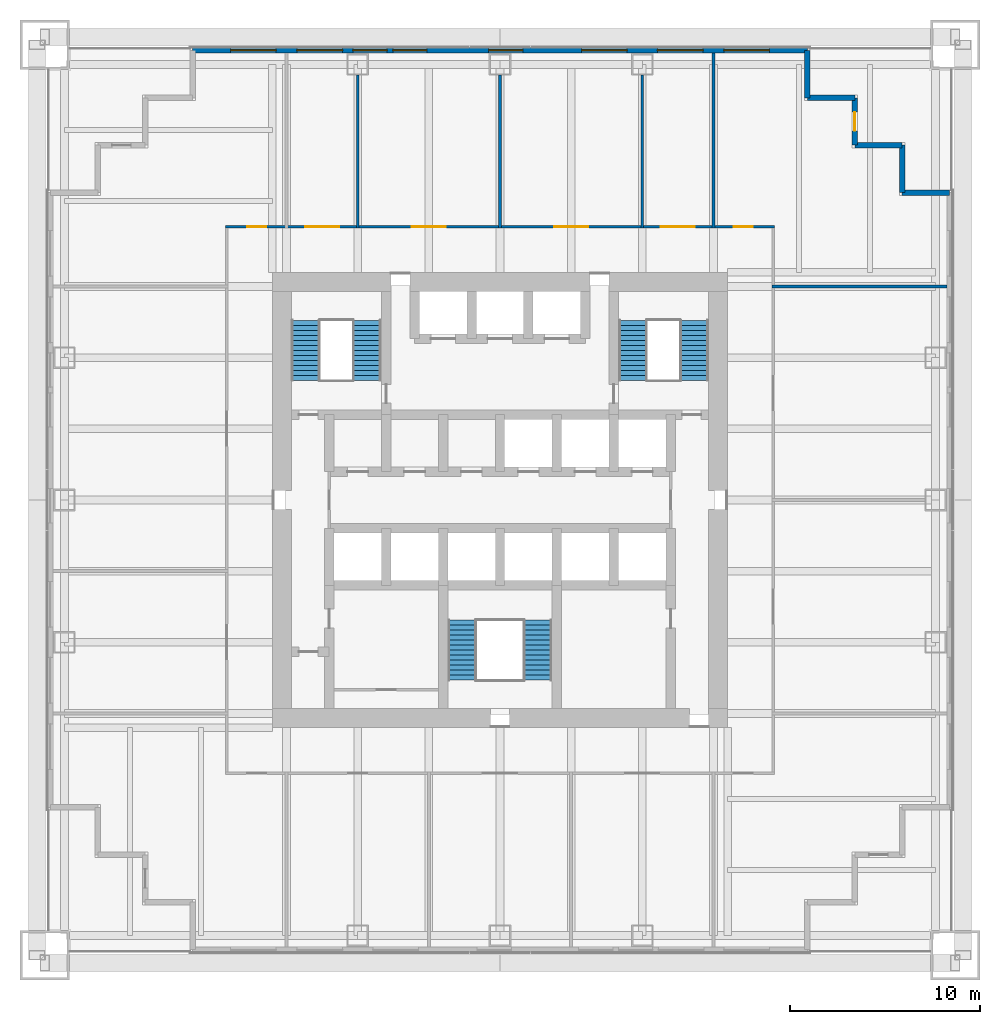
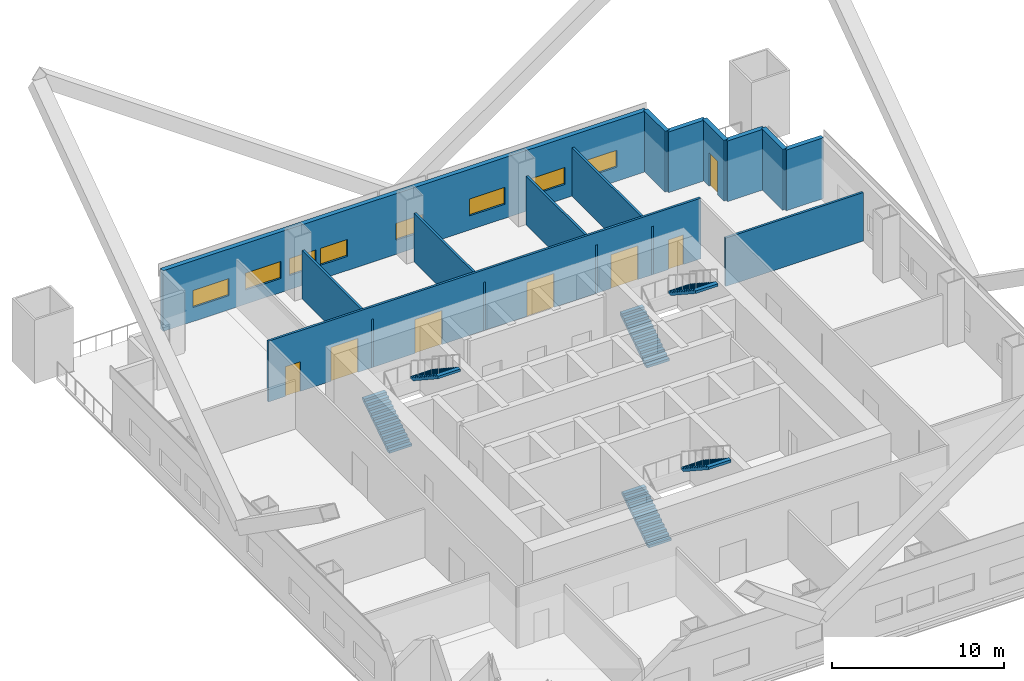
# One storey, part 5 of 7: 13 walls, 8 windows, 7 doors, 6 stair flights, 15 openings, 3 elements without a shape of their own.
"""IFC4 building model written with IfcOpenShell, lengths in metres."""

from ifc_helpers import new_model, si_unit, direction, frame, frame_2d, origin, place, context, subcontext, project, spatial, polyline, rectangle, outline, extrude, material, layer, layer_set, type_object, element, fill, aggregate, save


model = new_model("IFC4")

# Units and contexts
model_context = context("Model", 3, precision=1e-05, world=origin(), true_north=direction((0.0, 1.0)))
body_context = subcontext(model_context, "Body", "Model", "MODEL_VIEW")
ifc_project = project(units=[si_unit("LENGTHUNIT", "METRE"), si_unit("AREAUNIT", "SQUARE_METRE"), si_unit("VOLUMEUNIT", "CUBIC_METRE"), si_unit("PLANEANGLEUNIT", "RADIAN"), si_unit("MASSUNIT", "GRAM", prefix="KILO")], contexts=[model_context])

# Site, building, storey
site_placement = place(None, origin())
site = spatial("IfcSite", under=ifc_project, at=site_placement, CompositionType="ELEMENT")
building_placement = place(site_placement, origin())
building = spatial("IfcBuilding", under=site, at=building_placement, Name="Tarangal Relay Tower", CompositionType="ELEMENT")
storey_placement = place(building_placement, frame((0.0, 0.0, 117.89990234375)))
storey = spatial("IfcBuildingStorey", under=building, at=storey_placement, Name="L23", CompositionType="ELEMENT", Elevation=117.89990234375)

# Wall, openings, windows
ifc_material_1 = material(Name="Insulated precast concrete fc' 40 MPa", Category="concrete")
ifc_layer_1 = layer(ifc_material_1, 0.300048828125)
ifc_layer_set_1 = layer_set([ifc_layer_1], Name="Insulated precast concrete fc' 40 MPa")
wall_type_1 = type_object("IfcWallType", Name="Facade wall precast 300", PredefinedType="SOLIDWALL", material=ifc_layer_set_1)
wall_1_placement = place(storey_placement, frame((-16.199951171875, 23.699951171875, 0.0), z_axis=(0.0, 0.0, 1.0), x_axis=(1.0, 0.0, 0.0)))
wall_1 = element("IfcWall", 1, at=wall_1_placement, inside=storey, type_object=wall_type_1, Name="Facade wall N facade L23", PredefinedType="SOLIDWALL", context=body_context, shape_type="SweptSolid", body=[
    extrude(rectangle(XDim=32.39990234375, YDim=0.300048828125, at=frame_2d((16.199951171875, 0.0))), origin(), (0.0, 0.0, 1.0), 4.300048828125),
])
opening_1_placement = place(wall_1_placement, frame((2.0, 0.0, 1.0)))
opening_1 = element("IfcOpeningElement", 2, at=opening_1_placement, cuts=wall_1, Name="Opening WN1", PredefinedType="OPENING", context=body_context, shape_type="SweptSolid", body=[
    extrude(rectangle(XDim=2.39990234375, YDim=1.199951171875, at=frame_2d((1.199951171875, 0.60009765625))), frame((0.0, 0.159912109375, 0.0), z_axis=(0.0, -1.0, 0.0), x_axis=(1.0, 0.0, 0.0)), (0.0, 0.0, 1.0), 0.320068359375),
])
opening_2_placement = place(wall_1_placement, frame((5.5, 0.0, 1.0)))
opening_2 = element("IfcOpeningElement", 3, at=opening_2_placement, cuts=wall_1, Name="Opening WN1", PredefinedType="OPENING", context=body_context, shape_type="SweptSolid", body=[
    extrude(rectangle(XDim=2.39990234375, YDim=1.199951171875, at=frame_2d((1.199951171875, 0.60009765625))), frame((0.0, 0.159912109375, 0.0), z_axis=(0.0, -1.0, 0.0), x_axis=(1.0, 0.0, 0.0)), (0.0, 0.0, 1.0), 0.320068359375),
])
opening_3_placement = place(wall_1_placement, frame((8.449951171875, 0.0, 1.0)))
opening_3 = element("IfcOpeningElement", 4, at=opening_3_placement, cuts=wall_1, Name="Opening WN5", PredefinedType="OPENING", context=body_context, shape_type="SweptSolid", body=[
    extrude(rectangle(XDim=1.800048828125, YDim=1.199951171875, at=frame_2d((0.89990234375, 0.60009765625))), frame((0.0, 0.159912109375, 0.0), z_axis=(0.0, -1.0, 0.0), x_axis=(1.0, 0.0, 0.0)), (0.0, 0.0, 1.0), 0.320068359375),
])
opening_4_placement = place(wall_1_placement, frame((10.550048828125, 0.0, 1.0)))
opening_4 = element("IfcOpeningElement", 5, at=opening_4_placement, cuts=wall_1, Name="Opening WN5", PredefinedType="OPENING", context=body_context, shape_type="SweptSolid", body=[
    extrude(rectangle(XDim=1.800048828125, YDim=1.199951171875, at=frame_2d((0.89990234375, 0.60009765625))), frame((0.0, 0.159912109375, 0.0), z_axis=(0.0, -1.0, 0.0), x_axis=(1.0, 0.0, 0.0)), (0.0, 0.0, 1.0), 0.320068359375),
])
opening_5_placement = place(wall_1_placement, frame((15.60009765625, 0.0, 1.0)))
opening_5 = element("IfcOpeningElement", 6, at=opening_5_placement, cuts=wall_1, Name="Opening WN5", PredefinedType="OPENING", context=body_context, shape_type="SweptSolid", body=[
    extrude(rectangle(XDim=1.800048828125, YDim=1.199951171875, at=frame_2d((0.89990234375, 0.60009765625))), frame((0.0, 0.159912109375, 0.0), z_axis=(0.0, -1.0, 0.0), x_axis=(1.0, 0.0, 0.0)), (0.0, 0.0, 1.0), 0.320068359375),
])
opening_6_placement = place(wall_1_placement, frame((20.5, 0.0, 1.0)))
opening_6 = element("IfcOpeningElement", 7, at=opening_6_placement, cuts=wall_1, Name="Opening WN1", PredefinedType="OPENING", context=body_context, shape_type="SweptSolid", body=[
    extrude(rectangle(XDim=2.39990234375, YDim=1.199951171875, at=frame_2d((1.199951171875, 0.60009765625))), frame((0.0, 0.159912109375, 0.0), z_axis=(0.0, -1.0, 0.0), x_axis=(1.0, 0.0, 0.0)), (0.0, 0.0, 1.0), 0.320068359375),
])
opening_7_placement = place(wall_1_placement, frame((24.5, 0.0, 1.0)))
opening_7 = element("IfcOpeningElement", 8, at=opening_7_placement, cuts=wall_1, Name="Opening WN1", PredefinedType="OPENING", context=body_context, shape_type="SweptSolid", body=[
    extrude(rectangle(XDim=2.39990234375, YDim=1.199951171875, at=frame_2d((1.199951171875, 0.60009765625))), frame((0.0, 0.159912109375, 0.0), z_axis=(0.0, -1.0, 0.0), x_axis=(1.0, 0.0, 0.0)), (0.0, 0.0, 1.0), 0.320068359375),
])
opening_8_placement = place(wall_1_placement, frame((28.0, 0.0, 1.0)))
opening_8 = element("IfcOpeningElement", 9, at=opening_8_placement, cuts=wall_1, Name="Opening WN1", PredefinedType="OPENING", context=body_context, shape_type="SweptSolid", body=[
    extrude(rectangle(XDim=2.39990234375, YDim=1.199951171875, at=frame_2d((1.199951171875, 0.60009765625))), frame((0.0, 0.159912109375, 0.0), z_axis=(0.0, -1.0, 0.0), x_axis=(1.0, 0.0, 0.0)), (0.0, 0.0, 1.0), 0.320068359375),
])
ifc_material_2 = material(Name="Dark tinted double glazing in black aluminium frame", Category="aluminium")
window_type_1 = type_object("IfcWindowType", Name="Ribbon window 1800 x 1200", PartitioningType="SINGLE_PANEL", PredefinedType="WINDOW", material=ifc_material_2)
window_1_placement = place(opening_3_placement, origin())
window_1 = element("IfcWindow", 10, at=window_1_placement, inside=storey, type_object=window_type_1, Name="Ribbon window WN5 N facade L23", OverallHeight=1.199951171875, OverallWidth=1.800048828125, PartitioningType="SINGLE_PANEL", PredefinedType="WINDOW", context=body_context, shape_type="SweptSolid", body=[
    extrude(rectangle(XDim=1.800048828125, YDim=1.199951171875, at=frame_2d((0.89990234375, 0.60009765625))), frame((0.0, 0.030029296875, 0.0), z_axis=(0.0, -1.0, 0.0), x_axis=(1.0, 0.0, 0.0)), (0.0, 0.0, 1.0), 0.06005859375),
])
fill(opening_3, window_1)
window_2_placement = place(opening_4_placement, origin())
window_2 = element("IfcWindow", 11, at=window_2_placement, inside=storey, type_object=window_type_1, Name="Ribbon window WN5 N facade L23", OverallHeight=1.199951171875, OverallWidth=1.800048828125, PartitioningType="SINGLE_PANEL", PredefinedType="WINDOW", context=body_context, shape_type="SweptSolid", body=[
    extrude(rectangle(XDim=1.800048828125, YDim=1.199951171875, at=frame_2d((0.89990234375, 0.60009765625))), frame((0.0, 0.030029296875, 0.0), z_axis=(0.0, -1.0, 0.0), x_axis=(1.0, 0.0, 0.0)), (0.0, 0.0, 1.0), 0.06005859375),
])
fill(opening_4, window_2)
window_3_placement = place(opening_5_placement, origin())
window_3 = element("IfcWindow", 12, at=window_3_placement, inside=storey, type_object=window_type_1, Name="Ribbon window WN5 N facade L23", OverallHeight=1.199951171875, OverallWidth=1.800048828125, PartitioningType="SINGLE_PANEL", PredefinedType="WINDOW", context=body_context, shape_type="SweptSolid", body=[
    extrude(rectangle(XDim=1.800048828125, YDim=1.199951171875, at=frame_2d((0.89990234375, 0.60009765625))), frame((0.0, 0.030029296875, 0.0), z_axis=(0.0, -1.0, 0.0), x_axis=(1.0, 0.0, 0.0)), (0.0, 0.0, 1.0), 0.06005859375),
])
fill(opening_5, window_3)
window_type_2 = type_object("IfcWindowType", Name="Ribbon window 2400 x 1200", PartitioningType="SINGLE_PANEL", PredefinedType="WINDOW", material=ifc_material_2)
window_4_placement = place(opening_1_placement, origin())
window_4 = element("IfcWindow", 13, at=window_4_placement, inside=storey, type_object=window_type_2, Name="Ribbon window WN1 N facade L23", OverallHeight=1.199951171875, OverallWidth=2.39990234375, PartitioningType="SINGLE_PANEL", PredefinedType="WINDOW", context=body_context, shape_type="SweptSolid", body=[
    extrude(rectangle(XDim=2.39990234375, YDim=1.199951171875, at=frame_2d((1.199951171875, 0.60009765625))), frame((0.0, 0.030029296875, 0.0), z_axis=(0.0, -1.0, 0.0), x_axis=(1.0, 0.0, 0.0)), (0.0, 0.0, 1.0), 0.06005859375),
])
fill(opening_1, window_4)
window_5_placement = place(opening_2_placement, origin())
window_5 = element("IfcWindow", 14, at=window_5_placement, inside=storey, type_object=window_type_2, Name="Ribbon window WN1 N facade L23", OverallHeight=1.199951171875, OverallWidth=2.39990234375, PartitioningType="SINGLE_PANEL", PredefinedType="WINDOW", context=body_context, shape_type="SweptSolid", body=[
    extrude(rectangle(XDim=2.39990234375, YDim=1.199951171875, at=frame_2d((1.199951171875, 0.60009765625))), frame((0.0, 0.030029296875, 0.0), z_axis=(0.0, -1.0, 0.0), x_axis=(1.0, 0.0, 0.0)), (0.0, 0.0, 1.0), 0.06005859375),
])
fill(opening_2, window_5)
window_6_placement = place(opening_6_placement, origin())
window_6 = element("IfcWindow", 15, at=window_6_placement, inside=storey, type_object=window_type_2, Name="Ribbon window WN1 N facade L23", OverallHeight=1.199951171875, OverallWidth=2.39990234375, PartitioningType="SINGLE_PANEL", PredefinedType="WINDOW", context=body_context, shape_type="SweptSolid", body=[
    extrude(rectangle(XDim=2.39990234375, YDim=1.199951171875, at=frame_2d((1.199951171875, 0.60009765625))), frame((0.0, 0.030029296875, 0.0), z_axis=(0.0, -1.0, 0.0), x_axis=(1.0, 0.0, 0.0)), (0.0, 0.0, 1.0), 0.06005859375),
])
fill(opening_6, window_6)
window_7_placement = place(opening_7_placement, origin())
window_7 = element("IfcWindow", 16, at=window_7_placement, inside=storey, type_object=window_type_2, Name="Ribbon window WN1 N facade L23", OverallHeight=1.199951171875, OverallWidth=2.39990234375, PartitioningType="SINGLE_PANEL", PredefinedType="WINDOW", context=body_context, shape_type="SweptSolid", body=[
    extrude(rectangle(XDim=2.39990234375, YDim=1.199951171875, at=frame_2d((1.199951171875, 0.60009765625))), frame((0.0, 0.030029296875, 0.0), z_axis=(0.0, -1.0, 0.0), x_axis=(1.0, 0.0, 0.0)), (0.0, 0.0, 1.0), 0.06005859375),
])
fill(opening_7, window_7)
window_8_placement = place(opening_8_placement, origin())
window_8 = element("IfcWindow", 17, at=window_8_placement, inside=storey, type_object=window_type_2, Name="Ribbon window WN1 N facade L23", OverallHeight=1.199951171875, OverallWidth=2.39990234375, PartitioningType="SINGLE_PANEL", PredefinedType="WINDOW", context=body_context, shape_type="SweptSolid", body=[
    extrude(rectangle(XDim=2.39990234375, YDim=1.199951171875, at=frame_2d((1.199951171875, 0.60009765625))), frame((0.0, 0.030029296875, 0.0), z_axis=(0.0, -1.0, 0.0), x_axis=(1.0, 0.0, 0.0)), (0.0, 0.0, 1.0), 0.06005859375),
])
fill(opening_8, window_8)

# Walls
for number, where, z_axis, x_axis, name in (
    (18, (16.199951171875, 23.699951171875, 0.0), (0.0, 0.0, 1.0), (0.0, -1.0, 0.0), "Facade wall N facade L23"),
    (19, (16.199951171875, 21.199951171875, 0.0), (0.0, 0.0, 1.0), (1.0, 0.0, 0.0), "Facade wall N facade L23"),
):
    element("IfcWall", number, at=place(storey_placement, frame(where, z_axis=z_axis, x_axis=x_axis)), inside=storey, type_object=wall_type_1, Name=name, PredefinedType="SOLIDWALL", context=body_context, shape_type="SweptSolid", body=[
        extrude(rectangle(XDim=2.5, YDim=0.300048828125, at=frame_2d((1.25, 0.0))), origin(), (0.0, 0.0, 1.0), 4.300048828125),
    ])

# Wall, opening, door
wall_2_placement = place(storey_placement, frame((18.699951171875, 21.199951171875, 0.0), z_axis=(0.0, 0.0, 1.0), x_axis=(0.0, -1.0, 0.0)))
wall_2 = element("IfcWall", 20, at=wall_2_placement, inside=storey, type_object=wall_type_1, Name="Facade wall N facade L23", PredefinedType="SOLIDWALL", context=body_context, shape_type="SweptSolid", body=[
    extrude(rectangle(XDim=2.5, YDim=0.300048828125, at=frame_2d((1.25, 0.0))), origin(), (0.0, 0.0, 1.0), 4.300048828125),
])
opening_9_placement = place(wall_2_placement, frame((0.75, 0.0, 0.0)))
opening_9 = element("IfcOpeningElement", 21, at=opening_9_placement, cuts=wall_2, Name="Opening TD1", PredefinedType="OPENING", context=body_context, shape_type="SweptSolid", body=[
    extrude(rectangle(XDim=1.0, YDim=2.39990234375, at=frame_2d((0.5, 1.199951171875))), frame((0.0, 0.159912109375, 0.0), z_axis=(0.0, -1.0, 0.0), x_axis=(1.0, 0.0, 0.0)), (0.0, 0.0, 1.0), 0.320068359375),
])
ifc_material_3 = material(Name="Aluminium glazed door", Category="aluminium")
door_type_1 = type_object("IfcDoorType", Name="Terrace door 1000 x 2400", OperationType="SINGLE_SWING_RIGHT", PredefinedType="DOOR", material=ifc_material_3)
door_1_placement = place(opening_9_placement, origin())
door_1 = element("IfcDoor", 22, at=door_1_placement, inside=storey, type_object=door_type_1, Name="Terrace door TD1 NE L23", OperationType="SINGLE_SWING_RIGHT", OverallHeight=2.39990234375, OverallWidth=1.0, PredefinedType="DOOR", context=body_context, shape_type="SweptSolid", body=[
    extrude(rectangle(XDim=1.0, YDim=2.39990234375, at=frame_2d((0.5, 1.199951171875))), frame((0.0, 0.02490234375, 0.0), z_axis=(0.0, -1.0, 0.0), x_axis=(1.0, 0.0, 0.0)), (0.0, 0.0, 1.0), 0.050048828125),
])
fill(opening_9, door_1)

# Walls
for number, where, z_axis, x_axis, name in (
    (23, (18.699951171875, 18.699951171875, 0.0), (0.0, 0.0, 1.0), (1.0, 0.0, 0.0), "Facade wall N facade L23"),
    (24, (21.199951171875, 18.699951171875, 0.0), (0.0, 0.0, 1.0), (0.0, -1.0, 0.0), "Facade wall N facade L23"),
    (25, (21.199951171875, 16.199951171875, 0.0), (0.0, 0.0, 1.0), (1.0, 0.0, 0.0), "Facade wall N facade L23"),
):
    element("IfcWall", number, at=place(storey_placement, frame(where, z_axis=z_axis, x_axis=x_axis)), inside=storey, type_object=wall_type_1, Name=name, PredefinedType="SOLIDWALL", context=body_context, shape_type="SweptSolid", body=[
        extrude(rectangle(XDim=2.5, YDim=0.300048828125, at=frame_2d((1.25, 0.0))), origin(), (0.0, 0.0, 1.0), 4.300048828125),
    ])
ifc_material_4 = material(Name="Gypsum board on steel studs", Category="steel")
ifc_layer_2 = layer(ifc_material_4, 0.14990234375)
ifc_layer_set_2 = layer_set([ifc_layer_2], Name="Partition 150")
wall_type_2 = type_object("IfcWallType", Name="Partition 150", PredefinedType="PARTITIONING", material=ifc_layer_set_2)
wall_3_placement = place(storey_placement, frame((14.324951171875, 11.25, 0.0), z_axis=(0.0, 0.0, 1.0), x_axis=(1.0, 0.0, 0.0)))
element("IfcWall", 26, at=wall_3_placement, inside=storey, type_object=wall_type_2, Name="Partition PT1 L23", PredefinedType="PARTITIONING", context=body_context, shape_type="SweptSolid", body=[
    extrude(rectangle(XDim=9.22509765625, YDim=0.14990234375, at=frame_2d((4.612548828125, 0.0))), origin(), (0.0, 0.0, 1.0), 3.431396484375),
])

# Wall, openings, doors
wall_4_placement = place(storey_placement, frame((-14.47509765625, 14.39990234375, 0.0), z_axis=(0.0, 0.0, 1.0), x_axis=(1.0, 0.0, 0.0)))
wall_4 = element("IfcWall", 27, at=wall_4_placement, inside=storey, type_object=wall_type_2, Name="Partition PT1 L23", PredefinedType="PARTITIONING", context=body_context, shape_type="SweptSolid", body=[
    extrude(rectangle(XDim=28.9501953125, YDim=0.14990234375, at=frame_2d((14.47509765625, 0.0))), origin(), (0.0, 0.0, 1.0), 4.300048828125),
])
opening_10_placement = place(wall_4_placement, frame((4.199951171875, 0.0, 0.0)))
opening_10 = element("IfcOpeningElement", 28, at=opening_10_placement, cuts=wall_4, Name="Opening DD1", PredefinedType="OPENING", context=body_context, shape_type="SweptSolid", body=[
    extrude(rectangle(XDim=1.800048828125, YDim=2.39990234375, at=frame_2d((0.89990234375, 1.199951171875))), frame((0.0, 0.0849609375, 0.0), z_axis=(0.0, -1.0, 0.0), x_axis=(1.0, 0.0, 0.0)), (0.0, 0.0, 1.0), 0.169921875),
])
opening_11_placement = place(wall_4_placement, frame((9.824951171875, 0.0, 0.0)))
opening_11 = element("IfcOpeningElement", 29, at=opening_11_placement, cuts=wall_4, Name="Opening DD1", PredefinedType="OPENING", context=body_context, shape_type="SweptSolid", body=[
    extrude(rectangle(XDim=1.800048828125, YDim=2.39990234375, at=frame_2d((0.89990234375, 1.199951171875))), frame((0.0, 0.0849609375, 0.0), z_axis=(0.0, -1.0, 0.0), x_axis=(1.0, 0.0, 0.0)), (0.0, 0.0, 1.0), 0.169921875),
])
opening_12_placement = place(wall_4_placement, frame((17.324951171875, 0.0, 0.0)))
opening_12 = element("IfcOpeningElement", 30, at=opening_12_placement, cuts=wall_4, Name="Opening DD1", PredefinedType="OPENING", context=body_context, shape_type="SweptSolid", body=[
    extrude(rectangle(XDim=1.800048828125, YDim=2.39990234375, at=frame_2d((0.89990234375, 1.199951171875))), frame((0.0, 0.0849609375, 0.0), z_axis=(0.0, -1.0, 0.0), x_axis=(1.0, 0.0, 0.0)), (0.0, 0.0, 1.0), 0.169921875),
])
opening_13_placement = place(wall_4_placement, frame((22.949951171875, 0.0, 0.0)))
opening_13 = element("IfcOpeningElement", 31, at=opening_13_placement, cuts=wall_4, Name="Opening DD1", PredefinedType="OPENING", context=body_context, shape_type="SweptSolid", body=[
    extrude(rectangle(XDim=1.800048828125, YDim=2.39990234375, at=frame_2d((0.89990234375, 1.199951171875))), frame((0.0, 0.0849609375, 0.0), z_axis=(0.0, -1.0, 0.0), x_axis=(1.0, 0.0, 0.0)), (0.0, 0.0, 1.0), 0.169921875),
])
opening_14_placement = place(wall_4_placement, frame((26.800048828125, 0.0, 0.0)))
opening_14 = element("IfcOpeningElement", 32, at=opening_14_placement, cuts=wall_4, Name="Opening D2", PredefinedType="OPENING", context=body_context, shape_type="SweptSolid", body=[
    extrude(rectangle(XDim=1.0, YDim=2.10009765625, at=frame_2d((0.5, 1.050048828125))), frame((0.0, 0.0849609375, 0.0), z_axis=(0.0, -1.0, 0.0), x_axis=(1.0, 0.0, 0.0)), (0.0, 0.0, 1.0), 0.169921875),
])
opening_15_placement = place(wall_4_placement, frame((1.14990234375, 0.0, 0.0)))
opening_15 = element("IfcOpeningElement", 33, at=opening_15_placement, cuts=wall_4, Name="Opening D2", PredefinedType="OPENING", context=body_context, shape_type="SweptSolid", body=[
    extrude(rectangle(XDim=1.0, YDim=2.10009765625, at=frame_2d((0.5, 1.050048828125))), frame((0.0, 0.0849609375, 0.0), z_axis=(0.0, -1.0, 0.0), x_axis=(1.0, 0.0, 0.0)), (0.0, 0.0, 1.0), 0.169921875),
])
ifc_material_5 = material(Name="Hardwood door", Category="wood")
door_type_2 = type_object("IfcDoorType", Name="Door 1000 x 2100", OperationType="SINGLE_SWING_LEFT", PredefinedType="DOOR", material=ifc_material_5)
door_2_placement = place(opening_14_placement, origin())
door_2 = element("IfcDoor", 34, at=door_2_placement, inside=storey, type_object=door_type_2, Name="Door D2 to carrier staff office L23-13", OperationType="SINGLE_SWING_LEFT", OverallHeight=2.10009765625, OverallWidth=1.0, PredefinedType="DOOR", context=body_context, shape_type="SweptSolid", body=[
    extrude(rectangle(XDim=1.0, YDim=2.10009765625, at=frame_2d((0.5, 1.050048828125))), frame((0.0, 0.02490234375, 0.0), z_axis=(0.0, -1.0, 0.0), x_axis=(1.0, 0.0, 0.0)), (0.0, 0.0, 1.0), 0.050048828125),
])
fill(opening_14, door_2)
door_3_placement = place(opening_15_placement, origin())
door_3 = element("IfcDoor", 35, at=door_3_placement, inside=storey, type_object=door_type_2, Name="Door D2 to engineering office L23-16", OperationType="SINGLE_SWING_LEFT", OverallHeight=2.10009765625, OverallWidth=1.0, PredefinedType="DOOR", context=body_context, shape_type="SweptSolid", body=[
    extrude(rectangle(XDim=1.0, YDim=2.10009765625, at=frame_2d((0.5, 1.050048828125))), frame((0.0, 0.02490234375, 0.0), z_axis=(0.0, -1.0, 0.0), x_axis=(1.0, 0.0, 0.0)), (0.0, 0.0, 1.0), 0.050048828125),
])
fill(opening_15, door_3)
ifc_material_6 = material(Name="Steel door with hardwood frame", Category="steel")
door_type_3 = type_object("IfcDoorType", Name="Equipment double door 1800 x 2400", OperationType="DOUBLE_DOOR_SINGLE_SWING", PredefinedType="DOOR", material=ifc_material_6)
door_4_placement = place(opening_10_placement, origin())
door_4 = element("IfcDoor", 36, at=door_4_placement, inside=storey, type_object=door_type_3, Name="Door DD1 to carrier equipment room L23-02", OperationType="DOUBLE_DOOR_SINGLE_SWING", OverallHeight=2.39990234375, OverallWidth=1.800048828125, PredefinedType="DOOR", context=body_context, shape_type="SweptSolid", body=[
    extrude(rectangle(XDim=1.800048828125, YDim=2.39990234375, at=frame_2d((0.89990234375, 1.199951171875))), frame((0.0, 0.02490234375, 0.0), z_axis=(0.0, -1.0, 0.0), x_axis=(1.0, 0.0, 0.0)), (0.0, 0.0, 1.0), 0.050048828125),
])
fill(opening_10, door_4)
door_5_placement = place(opening_11_placement, origin())
door_5 = element("IfcDoor", 37, at=door_5_placement, inside=storey, type_object=door_type_3, Name="Door DD1 to carrier equipment room L23-03", OperationType="DOUBLE_DOOR_SINGLE_SWING", OverallHeight=2.39990234375, OverallWidth=1.800048828125, PredefinedType="DOOR", context=body_context, shape_type="SweptSolid", body=[
    extrude(rectangle(XDim=1.800048828125, YDim=2.39990234375, at=frame_2d((0.89990234375, 1.199951171875))), frame((0.0, 0.02490234375, 0.0), z_axis=(0.0, -1.0, 0.0), x_axis=(1.0, 0.0, 0.0)), (0.0, 0.0, 1.0), 0.050048828125),
])
fill(opening_11, door_5)
door_6_placement = place(opening_12_placement, origin())
door_6 = element("IfcDoor", 38, at=door_6_placement, inside=storey, type_object=door_type_3, Name="Door DD1 to carrier equipment room L23-04", OperationType="DOUBLE_DOOR_SINGLE_SWING", OverallHeight=2.39990234375, OverallWidth=1.800048828125, PredefinedType="DOOR", context=body_context, shape_type="SweptSolid", body=[
    extrude(rectangle(XDim=1.800048828125, YDim=2.39990234375, at=frame_2d((0.89990234375, 1.199951171875))), frame((0.0, 0.02490234375, 0.0), z_axis=(0.0, -1.0, 0.0), x_axis=(1.0, 0.0, 0.0)), (0.0, 0.0, 1.0), 0.050048828125),
])
fill(opening_12, door_6)
door_7_placement = place(opening_13_placement, origin())
door_7 = element("IfcDoor", 39, at=door_7_placement, inside=storey, type_object=door_type_3, Name="Door DD1 to carrier equipment room L23-05", OperationType="DOUBLE_DOOR_SINGLE_SWING", OverallHeight=2.39990234375, OverallWidth=1.800048828125, PredefinedType="DOOR", context=body_context, shape_type="SweptSolid", body=[
    extrude(rectangle(XDim=1.800048828125, YDim=2.39990234375, at=frame_2d((0.89990234375, 1.199951171875))), frame((0.0, 0.02490234375, 0.0), z_axis=(0.0, -1.0, 0.0), x_axis=(1.0, 0.0, 0.0)), (0.0, 0.0, 1.0), 0.050048828125),
])
fill(opening_13, door_7)

# Walls
for number, where, z_axis, x_axis, name in (
    (40, (-7.5, 14.324951171875, 0.0), (0.0, 0.0, 1.0), (0.0, 1.0, 0.0), "Partition PT1 L23"),
    (41, (0.0, 14.324951171875, 0.0), (0.0, 0.0, 1.0), (0.0, 1.0, 0.0), "Partition PT1 L23"),
    (42, (7.5, 14.324951171875, 0.0), (0.0, 0.0, 1.0), (0.0, 1.0, 0.0), "Partition PT1 L23"),
):
    element("IfcWall", number, at=place(storey_placement, frame(where, z_axis=z_axis, x_axis=x_axis)), inside=storey, type_object=wall_type_2, Name=name, PredefinedType="PARTITIONING", context=body_context, shape_type="SweptSolid", body=[
        extrude(rectangle(XDim=8.06494140625, YDim=0.14990234375, at=frame_2d((4.032470703125, 0.0))), origin(), (0.0, 0.0, 1.0), 3.431396484375),
    ])
wall_5_placement = place(storey_placement, frame((11.25, 14.324951171875, 0.0), z_axis=(0.0, 0.0, 1.0), x_axis=(0.0, 1.0, 0.0)))
element("IfcWall", 43, at=wall_5_placement, inside=storey, type_object=wall_type_2, Name="Partition PT1 L23", PredefinedType="PARTITIONING", context=body_context, shape_type="SweptSolid", body=[
    extrude(rectangle(XDim=9.22509765625, YDim=0.14990234375, at=frame_2d((4.612548828125, 0.0))), origin(), (0.0, 0.0, 1.0), 3.431396484375),
])

# Stair, stair flights
ifc_material_7 = material(Name="Steel ASTM A992 stair flight", Category="steel")
stair_type = type_object("IfcStairType", Name="Core stair 1500", PredefinedType="HALF_TURN_STAIR", material=ifc_material_7)
stair_1_placement = place(storey_placement, origin())
stair_1 = element("IfcStair", 44, at=stair_1_placement, inside=storey, type_object=stair_type, Name="Stair ST-A L23", PredefinedType="HALF_TURN_STAIR")
stair_flight_type = type_object("IfcStairFlightType", Name="Steel stair flight 1500, 13 risers 173 x 264", PredefinedType="STRAIGHT", material=ifc_material_7)
stair_flight_1_placement = place(storey_placement, frame((-10.25, 6.300048828125, 0.0), z_axis=(0.0, 0.0, 1.0), x_axis=(0.0, 1.0, 0.0)))
stair_flight_1 = element("IfcStairFlight", 45, at=stair_flight_1_placement, type_object=stair_flight_type, Name="ST-A flight 1", NumberOfRisers=13, NumberOfTreads=12, PredefinedType="STRAIGHT", RiserHeight=0.173076923, TreadLength=0.264, context=body_context, shape_type="SweptSolid", body=[
    extrude(outline(polyline([(0.0, 0.0), (0.0, 0.173095703125), (0.263916015625, 0.173095703125), (0.263916015625, 0.34619140625), (0.528076171875, 0.34619140625), (0.528076171875, 0.519287109375), (0.7919921875, 0.519287109375), (0.7919921875, 0.6923828125), (1.055908203125, 0.6923828125), (1.055908203125, 0.865478515625), (1.320068359375, 0.865478515625), (1.320068359375, 1.03857421875), (1.583984375, 1.03857421875), (1.583984375, 1.21142578125), (1.847900390625, 1.21142578125), (1.847900390625, 1.384521484375), (2.112060546875, 1.384521484375), (2.112060546875, 1.5576171875), (2.3759765625, 1.5576171875), (2.3759765625, 1.730712890625), (2.639892578125, 1.730712890625), (2.639892578125, 1.90380859375), (2.904052734375, 1.90380859375), (2.904052734375, 2.076904296875), (3.16796875, 2.076904296875), (3.16796875, 2.25), (3.16796875, 1.897705078125), (0.2734375, 0.0), (0.0, 0.0)])), frame((0.0, 0.75, 0.0), z_axis=(0.0, -1.0, 0.0), x_axis=(1.0, 0.0, 0.0)), (0.0, 0.0, 1.0), 1.5),
])
stair_flight_2_placement = place(storey_placement, frame((-7.0, 9.468017578125, 2.25), z_axis=(0.0, 0.0, 1.0), x_axis=(0.0, -1.0, 0.0)))
stair_flight_2 = element("IfcStairFlight", 46, at=stair_flight_2_placement, type_object=stair_flight_type, Name="ST-A flight 2", NumberOfRisers=13, NumberOfTreads=12, PredefinedType="STRAIGHT", RiserHeight=0.173076923, TreadLength=0.264, context=body_context, shape_type="SweptSolid", body=[
    extrude(outline(polyline([(0.0, 0.0), (0.0, 0.173095703125), (0.263916015625, 0.173095703125), (0.263916015625, 0.34619140625), (0.528076171875, 0.34619140625), (0.528076171875, 0.519287109375), (0.7919921875, 0.519287109375), (0.7919921875, 0.6923828125), (1.055908203125, 0.6923828125), (1.055908203125, 0.865478515625), (1.320068359375, 0.865478515625), (1.320068359375, 1.03857421875), (1.583984375, 1.03857421875), (1.583984375, 1.21142578125), (1.847900390625, 1.21142578125), (1.847900390625, 1.384521484375), (2.112060546875, 1.384521484375), (2.112060546875, 1.5576171875), (2.3759765625, 1.5576171875), (2.3759765625, 1.730712890625), (2.639892578125, 1.730712890625), (2.639892578125, 1.90380859375), (2.904052734375, 1.90380859375), (2.904052734375, 2.076904296875), (3.16796875, 2.076904296875), (3.16796875, 2.25), (3.16796875, 1.897705078125), (0.2734375, 0.0), (0.0, 0.0)])), frame((0.0, 0.75, 0.0), z_axis=(0.0, -1.0, 0.0), x_axis=(1.0, 0.0, 0.0)), (0.0, 0.0, 1.0), 1.5),
])
aggregate(stair_1, [stair_flight_1, stair_flight_2])

stair_2_placement = place(storey_placement, origin())
stair_2 = element("IfcStair", 47, at=stair_2_placement, inside=storey, type_object=stair_type, Name="Stair ST-B L23", PredefinedType="HALF_TURN_STAIR")
stair_flight_3_placement = place(storey_placement, frame((7.0, 6.300048828125, 0.0), z_axis=(0.0, 0.0, 1.0), x_axis=(0.0, 1.0, 0.0)))
stair_flight_3 = element("IfcStairFlight", 48, at=stair_flight_3_placement, type_object=stair_flight_type, Name="ST-B flight 1", NumberOfRisers=13, NumberOfTreads=12, PredefinedType="STRAIGHT", RiserHeight=0.173076923, TreadLength=0.264, context=body_context, shape_type="SweptSolid", body=[
    extrude(outline(polyline([(0.0, 0.0), (0.0, 0.173095703125), (0.263916015625, 0.173095703125), (0.263916015625, 0.34619140625), (0.528076171875, 0.34619140625), (0.528076171875, 0.519287109375), (0.7919921875, 0.519287109375), (0.7919921875, 0.6923828125), (1.055908203125, 0.6923828125), (1.055908203125, 0.865478515625), (1.320068359375, 0.865478515625), (1.320068359375, 1.03857421875), (1.583984375, 1.03857421875), (1.583984375, 1.21142578125), (1.847900390625, 1.21142578125), (1.847900390625, 1.384521484375), (2.112060546875, 1.384521484375), (2.112060546875, 1.5576171875), (2.3759765625, 1.5576171875), (2.3759765625, 1.730712890625), (2.639892578125, 1.730712890625), (2.639892578125, 1.90380859375), (2.904052734375, 1.90380859375), (2.904052734375, 2.076904296875), (3.16796875, 2.076904296875), (3.16796875, 2.25), (3.16796875, 1.897705078125), (0.2734375, 0.0), (0.0, 0.0)])), frame((0.0, 0.75, 0.0), z_axis=(0.0, -1.0, 0.0), x_axis=(1.0, 0.0, 0.0)), (0.0, 0.0, 1.0), 1.5),
])
stair_flight_4_placement = place(storey_placement, frame((10.25, 9.468017578125, 2.25), z_axis=(0.0, 0.0, 1.0), x_axis=(0.0, -1.0, 0.0)))
stair_flight_4 = element("IfcStairFlight", 49, at=stair_flight_4_placement, type_object=stair_flight_type, Name="ST-B flight 2", NumberOfRisers=13, NumberOfTreads=12, PredefinedType="STRAIGHT", RiserHeight=0.173076923, TreadLength=0.264, context=body_context, shape_type="SweptSolid", body=[
    extrude(outline(polyline([(0.0, 0.0), (0.0, 0.173095703125), (0.263916015625, 0.173095703125), (0.263916015625, 0.34619140625), (0.528076171875, 0.34619140625), (0.528076171875, 0.519287109375), (0.7919921875, 0.519287109375), (0.7919921875, 0.6923828125), (1.055908203125, 0.6923828125), (1.055908203125, 0.865478515625), (1.320068359375, 0.865478515625), (1.320068359375, 1.03857421875), (1.583984375, 1.03857421875), (1.583984375, 1.21142578125), (1.847900390625, 1.21142578125), (1.847900390625, 1.384521484375), (2.112060546875, 1.384521484375), (2.112060546875, 1.5576171875), (2.3759765625, 1.5576171875), (2.3759765625, 1.730712890625), (2.639892578125, 1.730712890625), (2.639892578125, 1.90380859375), (2.904052734375, 1.90380859375), (2.904052734375, 2.076904296875), (3.16796875, 2.076904296875), (3.16796875, 2.25), (3.16796875, 1.897705078125), (0.2734375, 0.0), (0.0, 0.0)])), frame((0.0, 0.75, 0.0), z_axis=(0.0, -1.0, 0.0), x_axis=(1.0, 0.0, 0.0)), (0.0, 0.0, 1.0), 1.5),
])
aggregate(stair_2, [stair_flight_3, stair_flight_4])

stair_3_placement = place(storey_placement, origin())
stair_3 = element("IfcStair", 50, at=stair_3_placement, inside=storey, type_object=stair_type, Name="Stair ST-C L23", PredefinedType="HALF_TURN_STAIR")
stair_flight_5_placement = place(storey_placement, frame((-2.0, -9.5, 0.0), z_axis=(0.0, 0.0, 1.0), x_axis=(0.0, 1.0, 0.0)))
stair_flight_5 = element("IfcStairFlight", 51, at=stair_flight_5_placement, type_object=stair_flight_type, Name="ST-C flight 1", NumberOfRisers=13, NumberOfTreads=12, PredefinedType="STRAIGHT", RiserHeight=0.173076923, TreadLength=0.264, context=body_context, shape_type="SweptSolid", body=[
    extrude(outline(polyline([(0.0, 0.0), (0.0, 0.173095703125), (0.263916015625, 0.173095703125), (0.263916015625, 0.34619140625), (0.528076171875, 0.34619140625), (0.528076171875, 0.519287109375), (0.7919921875, 0.519287109375), (0.7919921875, 0.6923828125), (1.055908203125, 0.6923828125), (1.055908203125, 0.865478515625), (1.320068359375, 0.865478515625), (1.320068359375, 1.03857421875), (1.583984375, 1.03857421875), (1.583984375, 1.21142578125), (1.847900390625, 1.21142578125), (1.847900390625, 1.384521484375), (2.112060546875, 1.384521484375), (2.112060546875, 1.5576171875), (2.3759765625, 1.5576171875), (2.3759765625, 1.730712890625), (2.639892578125, 1.730712890625), (2.639892578125, 1.90380859375), (2.904052734375, 1.90380859375), (2.904052734375, 2.076904296875), (3.16796875, 2.076904296875), (3.16796875, 2.25), (3.16796875, 1.897705078125), (0.2734375, 0.0), (0.0, 0.0)])), frame((0.0, 0.75, 0.0), z_axis=(0.0, -1.0, 0.0), x_axis=(1.0, 0.0, 0.0)), (0.0, 0.0, 1.0), 1.5),
])
stair_flight_6_placement = place(storey_placement, frame((2.0, -6.33203125, 2.25), z_axis=(0.0, 0.0, 1.0), x_axis=(0.0, -1.0, 0.0)))
stair_flight_6 = element("IfcStairFlight", 52, at=stair_flight_6_placement, type_object=stair_flight_type, Name="ST-C flight 2", NumberOfRisers=13, NumberOfTreads=12, PredefinedType="STRAIGHT", RiserHeight=0.173076923, TreadLength=0.264, context=body_context, shape_type="SweptSolid", body=[
    extrude(outline(polyline([(0.0, 0.0), (0.0, 0.173095703125), (0.263916015625, 0.173095703125), (0.263916015625, 0.34619140625), (0.528076171875, 0.34619140625), (0.528076171875, 0.519287109375), (0.7919921875, 0.519287109375), (0.7919921875, 0.6923828125), (1.055908203125, 0.6923828125), (1.055908203125, 0.865478515625), (1.320068359375, 0.865478515625), (1.320068359375, 1.03857421875), (1.583984375, 1.03857421875), (1.583984375, 1.21142578125), (1.847900390625, 1.21142578125), (1.847900390625, 1.384521484375), (2.112060546875, 1.384521484375), (2.112060546875, 1.5576171875), (2.3759765625, 1.5576171875), (2.3759765625, 1.730712890625), (2.639892578125, 1.730712890625), (2.639892578125, 1.90380859375), (2.904052734375, 1.90380859375), (2.904052734375, 2.076904296875), (3.16796875, 2.076904296875), (3.16796875, 2.25), (3.16796875, 1.897705078125), (0.2734375, 0.0), (0.0, 0.0)])), frame((0.0, 0.75, 0.0), z_axis=(0.0, -1.0, 0.0), x_axis=(1.0, 0.0, 0.0)), (0.0, 0.0, 1.0), 1.5),
])
aggregate(stair_3, [stair_flight_5, stair_flight_6])

save(model, "model.ifc")
